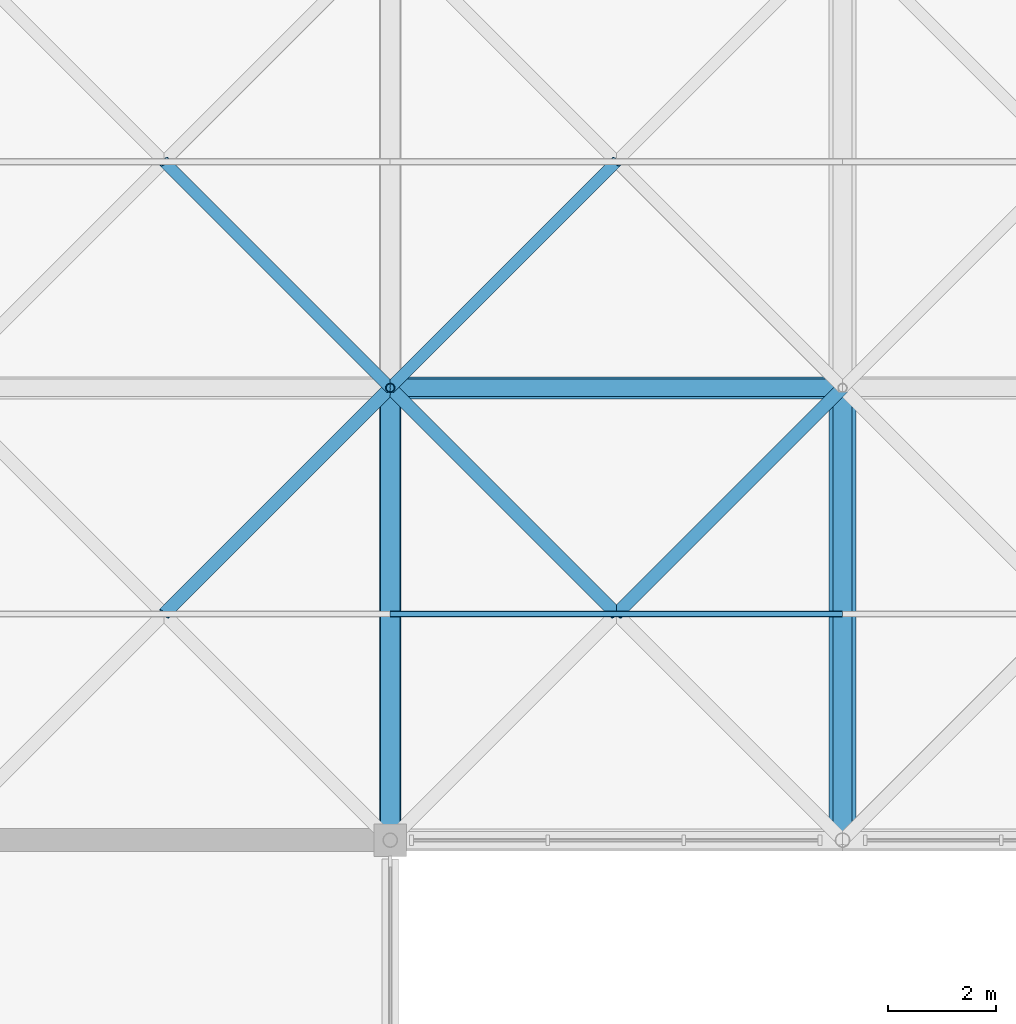
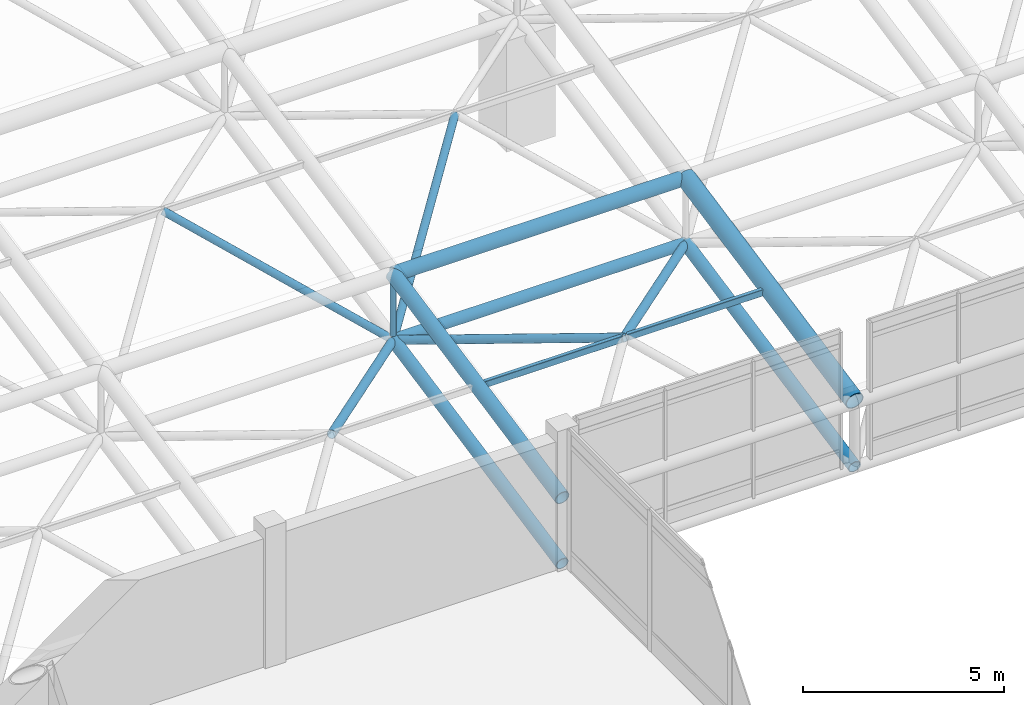
# One storey, part 13 of 81: 13 members.
"""IFC4 building model written with IfcOpenShell, lengths in metres."""

from ifc_helpers import new_model, si_unit, direction, frame, origin, origin_2d, place, context, subcontext, project, spatial, hollow_rectangle, hollow_circle, extrude, material, material_profile, profile_set, type_object, element, save


model = new_model("IFC4")

# Units and contexts
model_context = context("Model", 3, precision=1e-05, world=origin(), true_north=direction((0.0, 1.0)))
body_context = subcontext(model_context, "Body", "Model", "MODEL_VIEW")
ifc_project = project(units=[si_unit("LENGTHUNIT", "METRE"), si_unit("AREAUNIT", "SQUARE_METRE"), si_unit("VOLUMEUNIT", "CUBIC_METRE"), si_unit("PLANEANGLEUNIT", "RADIAN"), si_unit("MASSUNIT", "GRAM", prefix="KILO")], contexts=[model_context])

# Site, building, storey
site_placement = place(None, origin())
site = spatial("IfcSite", under=ifc_project, at=site_placement, CompositionType="ELEMENT")
building_placement = place(site_placement, origin())
building = spatial("IfcBuilding", under=site, at=building_placement, Name="Qawsi Khor Wholesale Market", CompositionType="ELEMENT")
storey_placement = place(building_placement, frame((0.0, 0.0, 16.199951171875)))
storey = spatial("IfcBuildingStorey", under=building, at=storey_placement, Name="L03", CompositionType="ELEMENT", Elevation=16.199951171875)

# Members
ifc_material = material(Name="Steel S355", Category="steel")
ifc_material_profile_1 = material_profile(ifc_material, hollow_circle(Radius=0.177734375, WallThickness=0.01611328125, at=origin_2d()), Name="CHS 355.6x16.0")
ifc_profile_set_1 = profile_set([ifc_material_profile_1], Name="Steel S355")
member_type_1 = type_object("IfcMemberType", Name="Space-Frame Bottom Chord CHS 355.6x16.0", PredefinedType="CHORD", material=ifc_profile_set_1)
for number, where, z_axis, x_axis, name in (
    (1, (50.39990234375, 42.0, -0.030029296875), (0.0, 0.9801244518, 0.198383615716), (-1.0, 0.0, 0.0), "Space frame bottom chord Y WH (6,5)"),
    (2, (58.800048828125, 42.0, -0.030029296875), (0.0, 0.9801244518, 0.198383615716), (-1.0, 0.0, 0.0), "Space frame bottom chord Y WH (7,5)"),
):
    element("IfcMember", number, at=place(storey_placement, frame(where, z_axis=z_axis, x_axis=x_axis)), inside=storey, type_object=member_type_1, Name=name, PredefinedType="CHORD", context=body_context, shape_type="SweptSolid", body=[
        extrude(hollow_circle(Radius=0.177734375, WallThickness=0.01611328125, at=origin_2d()), origin(), (0.0, 0.0, 1.0), 8.5703125),
    ])
ifc_material_profile_2 = material_profile(ifc_material, hollow_circle(Radius=0.122314453125, WallThickness=0.012451171875, at=origin_2d()), Name="CHS 244.5x12.5")
ifc_profile_set_2 = profile_set([ifc_material_profile_2], Name="Steel S355")
member_type_2 = type_object("IfcMemberType", Name="Space-Frame Heavy Diagonal CHS 244.5x12.5", PredefinedType="POST", material=ifc_profile_set_2)
for number, where, z_axis, x_axis, name in (
    (3, (50.39990234375, 50.39990234375, 1.670166015625), (-0.694216714393, -0.694216714393, 0.190069216113), (0.707106781187, -0.707106781187, 0.0), "Space frame diagonal WH (5,5)-3"),
    (4, (58.800048828125, 50.39990234375, 1.670166015625), (-0.694216714393, -0.694216714393, 0.190069216113), (0.707106781187, -0.707106781187, 0.0), "Space frame diagonal WH (6,5)-3"),
):
    element("IfcMember", number, at=place(storey_placement, frame(where, z_axis=z_axis, x_axis=x_axis)), inside=storey, type_object=member_type_2, Name=name, PredefinedType="POST", context=body_context, shape_type="SweptSolid", body=[
        extrude(hollow_circle(Radius=0.122314453125, WallThickness=0.012451171875, at=origin_2d()), origin(), (0.0, 0.0, 1.0), 6.0498046875),
    ])
member_1_placement = place(storey_placement, frame((50.39990234375, 50.39990234375, 1.670166015625), z_axis=(0.694237619642, -0.694197266374, 0.19006389145), x_axis=(0.70708622964, 0.707127332136, 0.0)))
element("IfcMember", 5, at=member_1_placement, inside=storey, type_object=member_type_2, Name="Space frame diagonal WH (6,5)-4", PredefinedType="POST", context=body_context, shape_type="SweptSolid", body=[
    extrude(hollow_circle(Radius=0.122314453125, WallThickness=0.012451171875, at=origin_2d()), origin(), (0.0, 0.0, 1.0), 6.050048828125),
])
ifc_material_profile_3 = material_profile(ifc_material, hollow_rectangle(XDim=0.1201171875, YDim=0.199951171875, WallThickness=0.008056640625, InnerFilletRadius=0.008056640625, OuterFilletRadius=0.01611328125, at=origin_2d()), Name="RHS 200x120x8.0")
ifc_profile_set_3 = profile_set([ifc_material_profile_3], Name="Steel S355")
member_type_3 = type_object("IfcMemberType", Name="Space-Frame Heavy Purlin RHS 200x120x8.0", PredefinedType="PURLIN", material=ifc_profile_set_3)
member_2_placement = place(storey_placement, frame((50.39990234375, 46.199951171875, 2.820068359375), z_axis=(1.0, 0.0, 0.0), x_axis=(0.0, 1.0, 0.0)))
element("IfcMember", 6, at=member_2_placement, inside=storey, type_object=member_type_3, Name="Space frame purlin WH (6,5)", PredefinedType="PURLIN", context=body_context, shape_type="SweptSolid", body=[
    extrude(hollow_rectangle(XDim=0.1201171875, YDim=0.199951171875, WallThickness=0.008056640625, InnerFilletRadius=0.008056640625, OuterFilletRadius=0.01611328125, at=origin_2d()), origin(), (0.0, 0.0, 1.0), 8.400146484375),
])
ifc_material_profile_4 = material_profile(ifc_material, hollow_circle(Radius=0.109619140625, WallThickness=0.010009765625, at=origin_2d()), Name="CHS 219.1x10.0")
ifc_profile_set_4 = profile_set([ifc_material_profile_4], Name="Steel S355")
member_type_4 = type_object("IfcMemberType", Name="Space-Frame Inner Diagonal CHS 219.1x10.0", PredefinedType="RAFTER", material=ifc_profile_set_4)
for number, where, z_axis, x_axis, name in (
    (7, (50.39990234375, 50.39990234375, 1.670166015625), (-0.637506899628, 0.637543957519, 0.432576762155), (-0.707127332136, -0.70708622964, 0.0), "Space frame diagonal WH (5,6)-2"),
    (8, (50.39990234375, 50.39990234375, 1.670166015625), (0.637528895855, 0.637528895855, 0.432566542741), (-0.707106781187, 0.707106781187, 0.0), "Space frame diagonal WH (6,6)-1"),
):
    element("IfcMember", number, at=place(storey_placement, frame(where, z_axis=z_axis, x_axis=x_axis)), inside=storey, type_object=member_type_4, Name=name, PredefinedType="RAFTER", context=body_context, shape_type="SweptSolid", body=[
        extrude(hollow_circle(Radius=0.109619140625, WallThickness=0.010009765625, at=origin_2d()), origin(), (0.0, 0.0, 1.0), 6.588134765625),
    ])
ifc_material_profile_5 = material_profile(ifc_material, hollow_circle(Radius=0.25390625, WallThickness=0.02490234375, at=origin_2d()), Name="CHS 508.0x25.0")
ifc_profile_set_5 = profile_set([ifc_material_profile_5], Name="Steel S355")
member_type_5 = type_object("IfcMemberType", Name="Space-Frame Main Chord CHS 508.0x25.0", PredefinedType="CHORD", material=ifc_profile_set_5)
member_3_placement = place(storey_placement, frame((58.800048828125, 42.0, 1.969970703125), z_axis=(0.0, 0.9801244518, 0.198383615716), x_axis=(-1.0, 0.0, 0.0)))
element("IfcMember", 9, at=member_3_placement, inside=storey, type_object=member_type_5, Name="Space frame top chord Y WH (7,5)", PredefinedType="CHORD", context=body_context, shape_type="SweptSolid", body=[
    extrude(hollow_circle(Radius=0.25390625, WallThickness=0.02490234375, at=origin_2d()), origin(), (0.0, 0.0, 1.0), 8.5703125),
])
ifc_material_profile_6 = material_profile(ifc_material, hollow_circle(Radius=0.161865234375, WallThickness=0.01611328125, at=origin_2d()), Name="CHS 323.9x16.0")
ifc_profile_set_6 = profile_set([ifc_material_profile_6], Name="Steel S355")
member_type_6 = type_object("IfcMemberType", Name="Space-Frame Secondary Chord CHS 323.9x16.0", PredefinedType="CHORD", material=ifc_profile_set_6)
member_4_placement = place(storey_placement, frame((50.39990234375, 50.39990234375, 1.670166015625), z_axis=(1.0, 0.0, 0.0), x_axis=(0.0, 1.0, 0.0)))
element("IfcMember", 10, at=member_4_placement, inside=storey, type_object=member_type_6, Name="Space frame bottom chord X WH (6,6)", PredefinedType="CHORD", context=body_context, shape_type="SweptSolid", body=[
    extrude(hollow_circle(Radius=0.161865234375, WallThickness=0.01611328125, at=origin_2d()), origin(), (0.0, 0.0, 1.0), 8.400146484375),
])
ifc_material_profile_7 = material_profile(ifc_material, hollow_circle(Radius=0.203125, WallThickness=0.02001953125, at=origin_2d()), Name="CHS 406.4x20.0")
ifc_profile_set_7 = profile_set([ifc_material_profile_7], Name="Steel S355")
member_type_7 = type_object("IfcMemberType", Name="Space-Frame Top Chord CHS 406.4x20.0", PredefinedType="CHORD", material=ifc_profile_set_7)
member_5_placement = place(storey_placement, frame((50.39990234375, 42.0, 1.969970703125), z_axis=(0.0, 0.9801244518, 0.198383615716), x_axis=(-1.0, 0.0, 0.0)))
element("IfcMember", 11, at=member_5_placement, inside=storey, type_object=member_type_7, Name="Space frame top chord Y WH (6,5)", PredefinedType="CHORD", context=body_context, shape_type="SweptSolid", body=[
    extrude(hollow_circle(Radius=0.203125, WallThickness=0.02001953125, at=origin_2d()), origin(), (0.0, 0.0, 1.0), 8.5703125),
])
member_6_placement = place(storey_placement, frame((50.39990234375, 50.39990234375, 3.670166015625), z_axis=(1.0, 0.0, 0.0), x_axis=(0.0, 1.0, 0.0)))
element("IfcMember", 12, at=member_6_placement, inside=storey, type_object=member_type_7, Name="Space frame top chord X WH (6,6)", PredefinedType="CHORD", context=body_context, shape_type="SweptSolid", body=[
    extrude(hollow_circle(Radius=0.203125, WallThickness=0.02001953125, at=origin_2d()), origin(), (0.0, 0.0, 1.0), 8.400146484375),
])
ifc_material_profile_8 = material_profile(ifc_material, hollow_circle(Radius=0.084228515625, WallThickness=0.008056640625, at=origin_2d()), Name="CHS 168.3x8.0")
ifc_profile_set_8 = profile_set([ifc_material_profile_8], Name="Steel S355")
member_type_8 = type_object("IfcMemberType", Name="Space-Frame Vertical Strut CHS 168.3x8.0", PredefinedType="STRUT", material=ifc_profile_set_8)
member_7_placement = place(storey_placement, frame((50.39990234375, 50.39990234375, 1.670166015625), z_axis=(0.0, 0.0, 1.0), x_axis=(1.0, 0.0, 0.0)))
element("IfcMember", 13, at=member_7_placement, inside=storey, type_object=member_type_8, Name="Space frame post WH (6,6)", PredefinedType="STRUT", context=body_context, shape_type="SweptSolid", body=[
    extrude(hollow_circle(Radius=0.084228515625, WallThickness=0.008056640625, at=origin_2d()), origin(), (0.0, 0.0, 1.0), 2.0),
])

save(model, "model.ifc")
